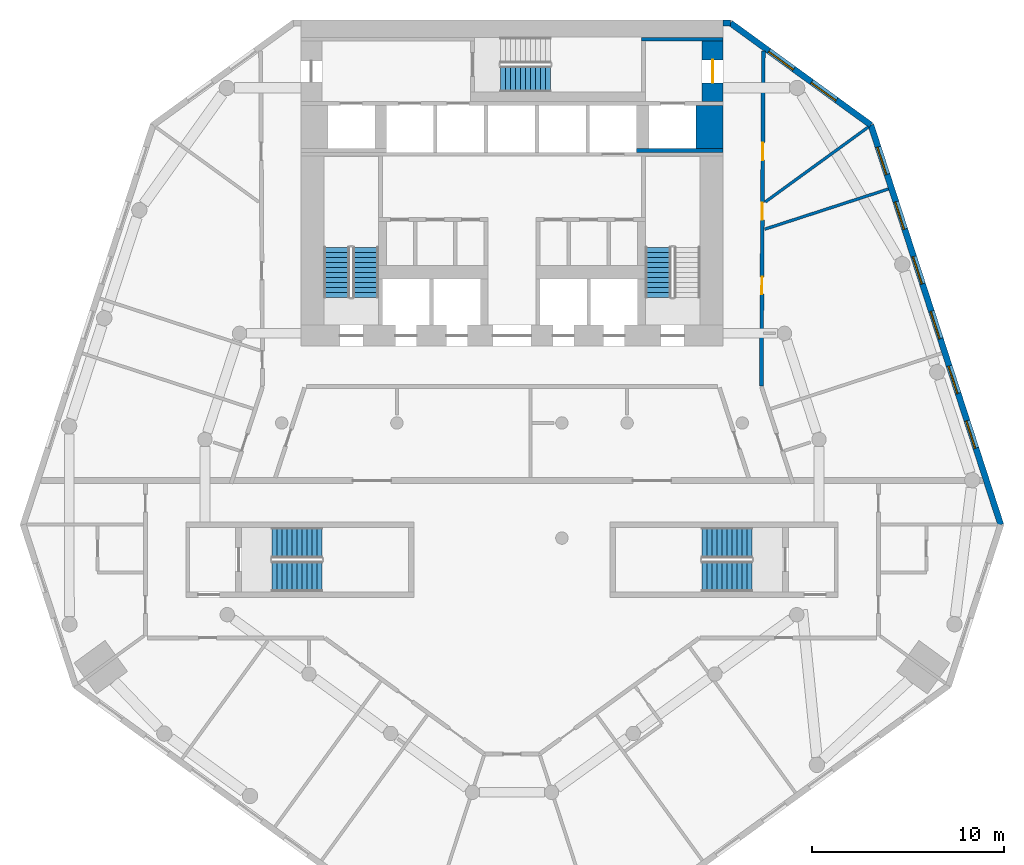
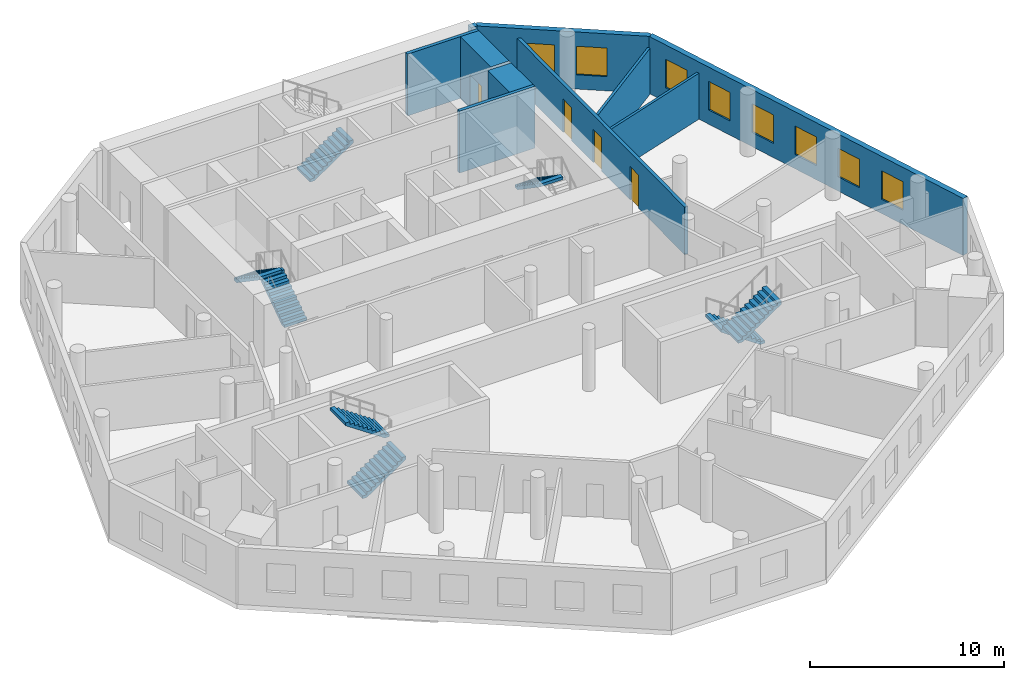
# One storey, part 6 of 9: 10 walls, 8 stair flights, 8 windows, 4 doors, 12 openings, 5 elements without a shape of their own.
"""IFC4 building model written with IfcOpenShell, lengths in metres."""

from ifc_helpers import new_model, si_unit, direction, frame, frame_2d, origin, place, context, subcontext, project, spatial, polyline, rectangle, outline, extrude, material, layer, layer_set, type_object, element, fill, aggregate, save


model = new_model("IFC4")

# Units and contexts
model_context = context("Model", 3, precision=1e-05, world=origin(), true_north=direction((0.0, 1.0)))
body_context = subcontext(model_context, "Body", "Model", "MODEL_VIEW")
ifc_project = project(units=[si_unit("LENGTHUNIT", "METRE"), si_unit("AREAUNIT", "SQUARE_METRE"), si_unit("VOLUMEUNIT", "CUBIC_METRE"), si_unit("PLANEANGLEUNIT", "RADIAN"), si_unit("MASSUNIT", "GRAM", prefix="KILO")], contexts=[model_context])

# Site, building, storey
site_placement = place(None, origin())
site = spatial("IfcSite", under=ifc_project, at=site_placement, CompositionType="ELEMENT")
building_placement = place(site_placement, origin())
building = spatial("IfcBuilding", under=site, at=building_placement, Name="White Candle Pilgrim Tower", CompositionType="ELEMENT")
storey_placement = place(building_placement, frame((0.0, 0.0, 133.699951171875)))
storey = spatial("IfcBuildingStorey", under=building, at=storey_placement, Name="L30", CompositionType="ELEMENT", Elevation=133.699951171875)

# Wall, opening, door
ifc_material_1 = material(Name="Concrete C60/75", Category="concrete")
ifc_layer_1 = layer(ifc_material_1, 1.10009765625)
ifc_layer_set_1 = layer_set([ifc_layer_1], Name="Core wall 1100 mm Concrete C60/75")
wall_type_1 = type_object("IfcWallType", Name="Core wall 1100 mm Concrete C60/75", PredefinedType="SHEAR", material=ifc_layer_set_1)
wall_1_placement = place(storey_placement, frame((80.449951171875, 83.75, 0.0), z_axis=(0.0, 0.0, 1.0), x_axis=(0.0, 1.0, 0.0)))
wall_1 = element("IfcWall", 1, at=wall_1_placement, inside=storey, type_object=wall_type_1, Name="WL-L30-C48", PredefinedType="SHEAR", context=body_context, shape_type="SweptSolid", body=[
    extrude(rectangle(XDim=3.14990234375, YDim=1.10009765625, at=frame_2d((1.574951171875, 0.0))), origin(), (0.0, 0.0, 1.0), 3.900146484375),
])
opening_1_placement = place(wall_1_placement, frame((0.97509765625, 0.0, 0.0)))
opening_1 = element("IfcOpeningElement", 2, at=opening_1_placement, cuts=wall_1, Name="Opening T09-006", PredefinedType="OPENING", context=body_context, shape_type="SweptSolid", body=[
    extrude(rectangle(XDim=1.199951171875, YDim=2.10009765625, at=frame_2d((0.60009765625, 1.050048828125))), frame((0.0, 0.56005859375, 0.0), z_axis=(0.0, -1.0, 0.0), x_axis=(1.0, 0.0, 0.0)), (0.0, 0.0, 1.0), 1.1201171875),
])
ifc_material_2 = material(Name="Steel door leaf", Category="steel")
door_type_1 = type_object("IfcDoorType", Name="Fire door 1200 x 2100 EI 30", OperationType="NOTDEFINED", PredefinedType="DOOR", material=ifc_material_2)
door_1_placement = place(opening_1_placement, origin())
door_1 = element("IfcDoor", 3, at=door_1_placement, inside=storey, type_object=door_type_1, Name="Door T09-006", OperationType="SINGLE_SWING_RIGHT", OverallHeight=2.10009765625, OverallWidth=1.199951171875, PredefinedType="DOOR", context=body_context, shape_type="SweptSolid", body=[
    extrude(rectangle(XDim=1.199951171875, YDim=2.10009765625, at=frame_2d((0.60009765625, 1.050048828125))), frame((0.0, 0.02490234375, 0.0), z_axis=(0.0, -1.0, 0.0), x_axis=(1.0, 0.0, 0.0)), (0.0, 0.0, 1.0), 0.050048828125),
])
fill(opening_1, door_1)

# Walls
ifc_layer_2 = layer(ifc_material_1, 1.39990234375)
ifc_layer_set_2 = layer_set([ifc_layer_2], Name="Core wall 1400 mm Concrete C60/75")
wall_type_2 = type_object("IfcWallType", Name="Core wall 1400 mm Concrete C60/75", PredefinedType="SHEAR", material=ifc_layer_set_2)
wall_2_placement = place(storey_placement, frame((80.300048828125, 81.300048828125, 0.0), z_axis=(0.0, 0.0, 1.0), x_axis=(0.0, 1.0, 0.0)))
element("IfcWall", 4, at=wall_2_placement, inside=storey, type_object=wall_type_2, Name="WL-L30-C44", PredefinedType="SHEAR", context=body_context, shape_type="SweptSolid", body=[
    extrude(rectangle(XDim=2.25, YDim=1.39990234375, at=frame_2d((1.125, 0.0))), origin(), (0.0, 0.0, 1.0), 3.900146484375),
])
ifc_layer_3 = layer(ifc_material_1, 0.199951171875)
ifc_layer_set_3 = layer_set([ifc_layer_3], Name="Core wall 200 mm Concrete C60/75")
wall_type_3 = type_object("IfcWallType", Name="Core wall 200 mm Concrete C60/75", PredefinedType="SHEAR", material=ifc_layer_set_3)
wall_3_placement = place(storey_placement, frame((76.5, 81.199951171875, 0.0), z_axis=(0.0, 0.0, 1.0), x_axis=(1.0, 0.0, 0.0)))
element("IfcWall", 5, at=wall_3_placement, inside=storey, type_object=wall_type_3, Name="WL-L30-C40", PredefinedType="SHEAR", context=body_context, shape_type="SweptSolid", body=[
    extrude(rectangle(XDim=4.5, YDim=0.199951171875, at=frame_2d((2.25, 0.0))), origin(), (0.0, 0.0, 1.0), 3.900146484375),
])

# Wall, openings, doors
ifc_material_3 = material(Name="Gypsum board on steel studs", Category="steel")
ifc_layer_4 = layer(ifc_material_3, 0.199951171875)
ifc_layer_set_4 = layer_set([ifc_layer_4], Name="Corridor wall 200 mm EI 45")
wall_type_4 = type_object("IfcWallType", Name="Corridor wall 200 mm EI 45", PredefinedType="PARTITIONING", material=ifc_layer_set_4)
wall_4_placement = place(storey_placement, frame((83.10009765625, 86.396240234375, 0.0), z_axis=(0.0, 0.0, 1.0), x_axis=(-0.005949698459, -0.999982300387, 0.0)))
wall_4 = element("IfcWall", 6, at=wall_4_placement, inside=storey, type_object=wall_type_4, Name="WL-L30-P004", PredefinedType="PARTITIONING", context=body_context, shape_type="SweptSolid", body=[
    extrude(rectangle(XDim=17.48046875, YDim=0.199951171875, at=frame_2d((8.740234375, 0.0))), origin(), (0.0, 0.0, 1.0), 3.0),
])
opening_2_placement = place(wall_4_placement, frame((4.794189453125, 0.0, 0.0)))
opening_2 = element("IfcOpeningElement", 7, at=opening_2_placement, cuts=wall_4, Name="Opening T09-121", PredefinedType="OPENING", context=body_context, shape_type="SweptSolid", body=[
    extrude(rectangle(XDim=0.89990234375, YDim=2.10009765625, at=frame_2d((0.449951171875, 1.050048828125))), frame((0.0, 0.10986328125, 0.0), z_axis=(0.0, -1.0, 0.0), x_axis=(1.0, 0.0, 0.0)), (0.0, 0.0, 1.0), 0.219970703125),
])
opening_3_placement = place(wall_4_placement, frame((7.916748046875, 0.0, 0.0)))
opening_3 = element("IfcOpeningElement", 8, at=opening_3_placement, cuts=wall_4, Name="Opening T09-122", PredefinedType="OPENING", context=body_context, shape_type="SweptSolid", body=[
    extrude(rectangle(XDim=0.89990234375, YDim=2.10009765625, at=frame_2d((0.449951171875, 1.050048828125))), frame((0.0, 0.10986328125, 0.0), z_axis=(0.0, -1.0, 0.0), x_axis=(1.0, 0.0, 0.0)), (0.0, 0.0, 1.0), 0.219970703125),
])
opening_4_placement = place(wall_4_placement, frame((11.786376953125, 0.0, 0.0)))
opening_4 = element("IfcOpeningElement", 9, at=opening_4_placement, cuts=wall_4, Name="Opening T09-123", PredefinedType="OPENING", context=body_context, shape_type="SweptSolid", body=[
    extrude(rectangle(XDim=0.89990234375, YDim=2.10009765625, at=frame_2d((0.449951171875, 1.050048828125))), frame((0.0, 0.10986328125, 0.0), z_axis=(0.0, -1.0, 0.0), x_axis=(1.0, 0.0, 0.0)), (0.0, 0.0, 1.0), 0.219970703125),
])
door_type_2 = type_object("IfcDoorType", Name="Fire door 900 x 2100 EI 30", OperationType="NOTDEFINED", PredefinedType="DOOR", material=ifc_material_2)
door_2_placement = place(opening_2_placement, origin())
door_2 = element("IfcDoor", 10, at=door_2_placement, inside=storey, type_object=door_type_2, Name="Door T09-121", OperationType="SINGLE_SWING_LEFT", OverallHeight=2.10009765625, OverallWidth=0.89990234375, PredefinedType="DOOR", context=body_context, shape_type="SweptSolid", body=[
    extrude(rectangle(XDim=0.89990234375, YDim=2.10009765625, at=frame_2d((0.449951171875, 1.050048828125))), frame((0.0, 0.02490234375, 0.0), z_axis=(0.0, -1.0, 0.0), x_axis=(1.0, 0.0, 0.0)), (0.0, 0.0, 1.0), 0.050048828125),
])
fill(opening_2, door_2)
door_3_placement = place(opening_3_placement, origin())
door_3 = element("IfcDoor", 11, at=door_3_placement, inside=storey, type_object=door_type_2, Name="Door T09-122", OperationType="SINGLE_SWING_RIGHT", OverallHeight=2.10009765625, OverallWidth=0.89990234375, PredefinedType="DOOR", context=body_context, shape_type="SweptSolid", body=[
    extrude(rectangle(XDim=0.89990234375, YDim=2.10009765625, at=frame_2d((0.449951171875, 1.050048828125))), frame((0.0, 0.02490234375, 0.0), z_axis=(0.0, -1.0, 0.0), x_axis=(1.0, 0.0, 0.0)), (0.0, 0.0, 1.0), 0.050048828125),
])
fill(opening_3, door_3)
door_4_placement = place(opening_4_placement, origin())
door_4 = element("IfcDoor", 12, at=door_4_placement, inside=storey, type_object=door_type_2, Name="Door T09-123", OperationType="SINGLE_SWING_LEFT", OverallHeight=2.10009765625, OverallWidth=0.89990234375, PredefinedType="DOOR", context=body_context, shape_type="SweptSolid", body=[
    extrude(rectangle(XDim=0.89990234375, YDim=2.10009765625, at=frame_2d((0.449951171875, 1.050048828125))), frame((0.0, 0.02490234375, 0.0), z_axis=(0.0, -1.0, 0.0), x_axis=(1.0, 0.0, 0.0)), (0.0, 0.0, 1.0), 0.050048828125),
])
fill(opening_4, door_4)

# Wall, openings, windows
ifc_material_4 = material(Name="Precast concrete C40/50", Category="concrete")
ifc_layer_5 = layer(ifc_material_4, 0.320068359375)
ifc_layer_set_5 = layer_set([ifc_layer_5], Name="Facade wall EW1 precast concrete C40/50 pier wall with timber-lined reveals")
wall_type_5 = type_object("IfcWallType", Name="Facade wall EW1 precast concrete C40/50 pier wall with timber-lined reveals", PredefinedType="SOLIDWALL", material=ifc_layer_set_5)
wall_5_placement = place(storey_placement, frame((95.4716796875, 61.69921875, 0.0), z_axis=(0.0, 0.0, 1.0), x_axis=(-0.309009164157, 0.951059060452, 0.0)))
wall_5 = element("IfcWall", 13, at=wall_5_placement, inside=storey, type_object=wall_type_5, Name="Facade wall L30 ENE", PredefinedType="SOLIDWALL", context=body_context, shape_type="SweptSolid", body=[
    extrude(rectangle(XDim=21.89306640625, YDim=0.320068359375, at=frame_2d((10.946533203125, 0.0))), origin(), (0.0, 0.0, 1.0), 3.60009765625),
])
opening_5_placement = place(wall_5_placement, frame((4.196533203125, 0.0, 0.89990234375)))
opening_5 = element("IfcOpeningElement", 14, at=opening_5_placement, cuts=wall_5, Name="Opening W1", PredefinedType="OPENING", context=body_context, shape_type="SweptSolid", body=[
    extrude(rectangle(XDim=1.5, YDim=1.800048828125, at=frame_2d((0.75, 0.89990234375))), frame((0.0, 0.169921875, 0.0), z_axis=(0.0, -1.0, 0.0), x_axis=(1.0, 0.0, 0.0)), (0.0, 0.0, 1.0), 0.340087890625),
])
opening_6_placement = place(wall_5_placement, frame((7.196533203125, 0.0, 0.89990234375)))
opening_6 = element("IfcOpeningElement", 15, at=opening_6_placement, cuts=wall_5, Name="Opening W1", PredefinedType="OPENING", context=body_context, shape_type="SweptSolid", body=[
    extrude(rectangle(XDim=1.5, YDim=1.800048828125, at=frame_2d((0.75, 0.89990234375))), frame((0.0, 0.169921875, 0.0), z_axis=(0.0, -1.0, 0.0), x_axis=(1.0, 0.0, 0.0)), (0.0, 0.0, 1.0), 0.340087890625),
])
opening_7_placement = place(wall_5_placement, frame((10.196533203125, 0.0, 0.89990234375)))
opening_7 = element("IfcOpeningElement", 16, at=opening_7_placement, cuts=wall_5, Name="Opening W1", PredefinedType="OPENING", context=body_context, shape_type="SweptSolid", body=[
    extrude(rectangle(XDim=1.5, YDim=1.800048828125, at=frame_2d((0.75, 0.89990234375))), frame((0.0, 0.169921875, 0.0), z_axis=(0.0, -1.0, 0.0), x_axis=(1.0, 0.0, 0.0)), (0.0, 0.0, 1.0), 0.340087890625),
])
opening_8_placement = place(wall_5_placement, frame((13.196533203125, 0.0, 0.89990234375)))
opening_8 = element("IfcOpeningElement", 17, at=opening_8_placement, cuts=wall_5, Name="Opening W1", PredefinedType="OPENING", context=body_context, shape_type="SweptSolid", body=[
    extrude(rectangle(XDim=1.5, YDim=1.800048828125, at=frame_2d((0.75, 0.89990234375))), frame((0.0, 0.169921875, 0.0), z_axis=(0.0, -1.0, 0.0), x_axis=(1.0, 0.0, 0.0)), (0.0, 0.0, 1.0), 0.340087890625),
])
opening_9_placement = place(wall_5_placement, frame((16.196533203125, 0.0, 0.89990234375)))
opening_9 = element("IfcOpeningElement", 18, at=opening_9_placement, cuts=wall_5, Name="Opening W1", PredefinedType="OPENING", context=body_context, shape_type="SweptSolid", body=[
    extrude(rectangle(XDim=1.5, YDim=1.800048828125, at=frame_2d((0.75, 0.89990234375))), frame((0.0, 0.169921875, 0.0), z_axis=(0.0, -1.0, 0.0), x_axis=(1.0, 0.0, 0.0)), (0.0, 0.0, 1.0), 0.340087890625),
])
opening_10_placement = place(wall_5_placement, frame((19.196533203125, 0.0, 0.89990234375)))
opening_10 = element("IfcOpeningElement", 19, at=opening_10_placement, cuts=wall_5, Name="Opening W1", PredefinedType="OPENING", context=body_context, shape_type="SweptSolid", body=[
    extrude(rectangle(XDim=1.5, YDim=1.800048828125, at=frame_2d((0.75, 0.89990234375))), frame((0.0, 0.169921875, 0.0), z_axis=(0.0, -1.0, 0.0), x_axis=(1.0, 0.0, 0.0)), (0.0, 0.0, 1.0), 0.340087890625),
])
ifc_material_5 = material(Name="Timber frame with triple glazing", Category="wood")
window_type_1 = type_object("IfcWindowType", Name="Window W1 1500x1800 timber frame triple glazing", PartitioningType="SINGLE_PANEL", PredefinedType="WINDOW", material=ifc_material_5)
window_1_placement = place(opening_5_placement, origin())
window_1 = element("IfcWindow", 20, at=window_1_placement, inside=storey, type_object=window_type_1, Name="Window W1 L30 ENE 2", OverallHeight=1.800048828125, OverallWidth=1.5, PartitioningType="SINGLE_PANEL", PredefinedType="WINDOW", context=body_context, shape_type="SweptSolid", body=[
    extrude(rectangle(XDim=1.5, YDim=1.800048828125, at=frame_2d((0.75, 0.89990234375))), frame((0.0, 0.070068359375, 0.0), z_axis=(0.0, -1.0, 0.0), x_axis=(1.0, 0.0, 0.0)), (0.0, 0.0, 1.0), 0.06005859375),
])
fill(opening_5, window_1)
window_2_placement = place(opening_6_placement, origin())
window_2 = element("IfcWindow", 21, at=window_2_placement, inside=storey, type_object=window_type_1, Name="Window W1 L30 ENE 3", OverallHeight=1.800048828125, OverallWidth=1.5, PartitioningType="SINGLE_PANEL", PredefinedType="WINDOW", context=body_context, shape_type="SweptSolid", body=[
    extrude(rectangle(XDim=1.5, YDim=1.800048828125, at=frame_2d((0.75, 0.89990234375))), frame((0.0, 0.070068359375, 0.0), z_axis=(0.0, -1.0, 0.0), x_axis=(1.0, 0.0, 0.0)), (0.0, 0.0, 1.0), 0.06005859375),
])
fill(opening_6, window_2)
window_3_placement = place(opening_7_placement, origin())
window_3 = element("IfcWindow", 22, at=window_3_placement, inside=storey, type_object=window_type_1, Name="Window W1 L30 ENE 4", OverallHeight=1.800048828125, OverallWidth=1.5, PartitioningType="SINGLE_PANEL", PredefinedType="WINDOW", context=body_context, shape_type="SweptSolid", body=[
    extrude(rectangle(XDim=1.5, YDim=1.800048828125, at=frame_2d((0.75, 0.89990234375))), frame((0.0, 0.070068359375, 0.0), z_axis=(0.0, -1.0, 0.0), x_axis=(1.0, 0.0, 0.0)), (0.0, 0.0, 1.0), 0.06005859375),
])
fill(opening_7, window_3)
window_4_placement = place(opening_8_placement, origin())
window_4 = element("IfcWindow", 23, at=window_4_placement, inside=storey, type_object=window_type_1, Name="Window W1 L30 ENE 5", OverallHeight=1.800048828125, OverallWidth=1.5, PartitioningType="SINGLE_PANEL", PredefinedType="WINDOW", context=body_context, shape_type="SweptSolid", body=[
    extrude(rectangle(XDim=1.5, YDim=1.800048828125, at=frame_2d((0.75, 0.89990234375))), frame((0.0, 0.070068359375, 0.0), z_axis=(0.0, -1.0, 0.0), x_axis=(1.0, 0.0, 0.0)), (0.0, 0.0, 1.0), 0.06005859375),
])
fill(opening_8, window_4)
window_5_placement = place(opening_9_placement, origin())
window_5 = element("IfcWindow", 24, at=window_5_placement, inside=storey, type_object=window_type_1, Name="Window W1 L30 ENE 6", OverallHeight=1.800048828125, OverallWidth=1.5, PartitioningType="SINGLE_PANEL", PredefinedType="WINDOW", context=body_context, shape_type="SweptSolid", body=[
    extrude(rectangle(XDim=1.5, YDim=1.800048828125, at=frame_2d((0.75, 0.89990234375))), frame((0.0, 0.070068359375, 0.0), z_axis=(0.0, -1.0, 0.0), x_axis=(1.0, 0.0, 0.0)), (0.0, 0.0, 1.0), 0.06005859375),
])
fill(opening_9, window_5)
window_6_placement = place(opening_10_placement, origin())
window_6 = element("IfcWindow", 25, at=window_6_placement, inside=storey, type_object=window_type_1, Name="Window W1 L30 ENE 7", OverallHeight=1.800048828125, OverallWidth=1.5, PartitioningType="SINGLE_PANEL", PredefinedType="WINDOW", context=body_context, shape_type="SweptSolid", body=[
    extrude(rectangle(XDim=1.5, YDim=1.800048828125, at=frame_2d((0.75, 0.89990234375))), frame((0.0, 0.070068359375, 0.0), z_axis=(0.0, -1.0, 0.0), x_axis=(1.0, 0.0, 0.0)), (0.0, 0.0, 1.0), 0.06005859375),
])
fill(opening_10, window_6)

wall_6_placement = place(storey_placement, frame((88.70654296875, 82.520751953125, 0.0), z_axis=(0.0, 0.0, 1.0), x_axis=(-0.809020636, 0.587780239993, 0.0)))
wall_6 = element("IfcWall", 26, at=wall_6_placement, inside=storey, type_object=wall_type_5, Name="Facade wall L30 NE chamfer", PredefinedType="SOLIDWALL", context=body_context, shape_type="SweptSolid", body=[
    extrude(rectangle(XDim=9.0498046875, YDim=0.320068359375, at=frame_2d((4.52490234375, 0.0))), origin(), (0.0, 0.0, 1.0), 3.60009765625),
])
opening_11_placement = place(wall_6_placement, frame((2.224853515625, 0.0, 0.89990234375)))
opening_11 = element("IfcOpeningElement", 27, at=opening_11_placement, cuts=wall_6, Name="Opening W2", PredefinedType="OPENING", context=body_context, shape_type="SweptSolid", body=[
    extrude(rectangle(XDim=1.60009765625, YDim=1.800048828125, at=frame_2d((0.800048828125, 0.89990234375))), frame((0.0, 0.169921875, 0.0), z_axis=(0.0, -1.0, 0.0), x_axis=(1.0, 0.0, 0.0)), (0.0, 0.0, 1.0), 0.340087890625),
])
opening_12_placement = place(wall_6_placement, frame((4.974853515625, 0.0, 0.89990234375)))
opening_12 = element("IfcOpeningElement", 28, at=opening_12_placement, cuts=wall_6, Name="Opening W2", PredefinedType="OPENING", context=body_context, shape_type="SweptSolid", body=[
    extrude(rectangle(XDim=1.60009765625, YDim=1.800048828125, at=frame_2d((0.800048828125, 0.89990234375))), frame((0.0, 0.169921875, 0.0), z_axis=(0.0, -1.0, 0.0), x_axis=(1.0, 0.0, 0.0)), (0.0, 0.0, 1.0), 0.340087890625),
])
window_type_2 = type_object("IfcWindowType", Name="Window W2 1600x1800 timber frame triple glazing", PartitioningType="SINGLE_PANEL", PredefinedType="WINDOW", material=ifc_material_5)
window_7_placement = place(opening_11_placement, origin())
window_7 = element("IfcWindow", 29, at=window_7_placement, inside=storey, type_object=window_type_2, Name="Window W2 L30 NE chamfer 1", OverallHeight=1.800048828125, OverallWidth=1.60009765625, PartitioningType="SINGLE_PANEL", PredefinedType="WINDOW", context=body_context, shape_type="SweptSolid", body=[
    extrude(rectangle(XDim=1.60009765625, YDim=1.800048828125, at=frame_2d((0.800048828125, 0.89990234375))), frame((0.0, 0.070068359375, 0.0), z_axis=(0.0, -1.0, 0.0), x_axis=(1.0, 0.0, 0.0)), (0.0, 0.0, 1.0), 0.06005859375),
])
fill(opening_11, window_7)
window_8_placement = place(opening_12_placement, origin())
window_8 = element("IfcWindow", 30, at=window_8_placement, inside=storey, type_object=window_type_2, Name="Window W2 L30 NE chamfer 2", OverallHeight=1.800048828125, OverallWidth=1.60009765625, PartitioningType="SINGLE_PANEL", PredefinedType="WINDOW", context=body_context, shape_type="SweptSolid", body=[
    extrude(rectangle(XDim=1.60009765625, YDim=1.800048828125, at=frame_2d((0.800048828125, 0.89990234375))), frame((0.0, 0.070068359375, 0.0), z_axis=(0.0, -1.0, 0.0), x_axis=(1.0, 0.0, 0.0)), (0.0, 0.0, 1.0), 0.06005859375),
])
fill(opening_12, window_8)

# Walls
wall_7_placement = place(storey_placement, frame((81.385009765625, 87.840087890625, 0.0), z_axis=(0.0, 0.0, 1.0), x_axis=(-1.0, 0.0, 0.0)))
element("IfcWall", 31, at=wall_7_placement, inside=storey, type_object=wall_type_5, Name="Facade wall L30 N", PredefinedType="SOLIDWALL", context=body_context, shape_type="SweptSolid", body=[
    extrude(rectangle(XDim=0.385009765625, YDim=0.320068359375, at=frame_2d((0.1923828125, 0.0))), origin(), (0.0, 0.0, 1.0), 3.60009765625),
])
ifc_layer_6 = layer(ifc_material_3, 0.14990234375)
ifc_layer_set_6 = layer_set([ifc_layer_6], Name="Partition 150 mm EI 60")
wall_type_6 = type_object("IfcWallType", Name="Partition 150 mm EI 60", PredefinedType="PARTITIONING", material=ifc_layer_set_6)
wall_8_placement = place(storey_placement, frame((88.5703125, 82.421875, 0.0), z_axis=(0.0, 0.0, 1.0), x_axis=(-0.809017368716, -0.587784737056, 0.0)))
element("IfcWall", 32, at=wall_8_placement, inside=storey, type_object=wall_type_6, Name="WL-L30-P023", PredefinedType="PARTITIONING", context=body_context, shape_type="SweptSolid", body=[
    extrude(rectangle(XDim=6.64111328125, YDim=0.14990234375, at=frame_2d((3.320556640625, 0.0))), origin(), (0.0, 0.0, 1.0), 2.900146484375),
])
wall_9_placement = place(storey_placement, frame((89.619384765625, 79.193359375, 0.0), z_axis=(0.0, 0.0, 1.0), x_axis=(-0.951063688423, -0.308994919963, 0.0)))
element("IfcWall", 33, at=wall_9_placement, inside=storey, type_object=wall_type_6, Name="WL-L30-P038", PredefinedType="PARTITIONING", context=body_context, shape_type="SweptSolid", body=[
    extrude(rectangle(XDim=6.783203125, YDim=0.14990234375, at=frame_2d((3.3916015625, 0.0))), origin(), (0.0, 0.0, 1.0), 2.900146484375),
])
ifc_layer_7 = layer(ifc_material_1, 0.199951171875)
ifc_layer_set_7 = layer_set([ifc_layer_7], Name="Stair shaft wall 200 mm Concrete C60/75")
wall_type_7 = type_object("IfcWallType", Name="Stair shaft wall 200 mm Concrete C60/75", PredefinedType="SHEAR", material=ifc_layer_set_7)
wall_10_placement = place(storey_placement, frame((76.75, 87.0, 0.0), z_axis=(0.0, 0.0, 1.0), x_axis=(1.0, 0.0, 0.0)))
element("IfcWall", 34, at=wall_10_placement, inside=storey, type_object=wall_type_7, Name="WL-L30-C52", PredefinedType="SHEAR", context=body_context, shape_type="SweptSolid", body=[
    extrude(rectangle(XDim=4.25, YDim=0.199951171875, at=frame_2d((2.125, 0.0))), origin(), (0.0, 0.0, 1.0), 3.900146484375),
])

# Stair, stair flights
ifc_material_6 = material(Name="Concrete C40/50", Category="concrete")
stair_type_1 = type_object("IfcStairType", Name="Exit stair 1 flight width 1350 mm", PredefinedType="HALF_TURN_STAIR", material=ifc_material_6)
stair_1_placement = place(storey_placement, origin())
stair_1 = element("IfcStair", 35, at=stair_1_placement, inside=storey, type_object=stair_type_1, Name="L30 stair 1", PredefinedType="NOTDEFINED")
ifc_layer_8 = layer(ifc_material_6, 0.14990234375)
ifc_layer_set_8 = layer_set([ifc_layer_8], Name="Stair flight Concrete C40/50")
stair_flight_type = type_object("IfcStairFlightType", Name="Stair flight Concrete C40/50", PredefinedType="STRAIGHT", material=ifc_layer_set_8)
stair_flight_1_placement = place(storey_placement, frame((62.375, 73.550048828125, 0.0), z_axis=(0.0, 0.0, 1.0), x_axis=(0.0, 1.0, 0.0)))
stair_flight_1 = element("IfcStairFlight", 36, at=stair_flight_1_placement, type_object=stair_flight_type, Name="ST1 flight 1", NumberOfRisers=11, NumberOfTreads=10, PredefinedType="NOTDEFINED", RiserHeight=0.177272727, TreadLength=0.26, context=body_context, shape_type="SweptSolid", body=[
    extrude(outline(polyline([(0.0, 0.0), (0.0, 0.17724609375), (0.260009765625, 0.17724609375), (0.260009765625, 0.3544921875), (0.52001953125, 0.3544921875), (0.52001953125, 0.53173828125), (0.780029296875, 0.53173828125), (0.780029296875, 0.708984375), (1.0400390625, 0.708984375), (1.0400390625, 0.886474609375), (1.300048828125, 0.886474609375), (1.300048828125, 1.063720703125), (1.56005859375, 1.063720703125), (1.56005859375, 1.240966796875), (1.820068359375, 1.240966796875), (1.820068359375, 1.418212890625), (2.080078125, 1.418212890625), (2.080078125, 1.595458984375), (2.340087890625, 1.595458984375), (2.340087890625, 1.772705078125), (2.60009765625, 1.772705078125), (2.60009765625, 1.949951171875), (2.60009765625, 1.59130859375), (0.26611328125, 0.0), (0.0, 0.0)])), frame((0.0, 0.675048828125, 0.0), z_axis=(0.0, -1.0, 0.0), x_axis=(1.0, 0.0, 0.0)), (0.0, 0.0, 1.0), 1.35009765625),
])
stair_flight_2_placement = place(storey_placement, frame((60.875, 76.14990234375, 1.949951171875), z_axis=(0.0, 0.0, 1.0), x_axis=(0.0, -1.0, 0.0)))
stair_flight_2 = element("IfcStairFlight", 37, at=stair_flight_2_placement, type_object=stair_flight_type, Name="ST1 flight 2", NumberOfRisers=11, NumberOfTreads=10, PredefinedType="NOTDEFINED", RiserHeight=0.177272727, TreadLength=0.26, context=body_context, shape_type="SweptSolid", body=[
    extrude(outline(polyline([(0.0, 0.0), (0.0, 0.17724609375), (0.260009765625, 0.17724609375), (0.260009765625, 0.3544921875), (0.52001953125, 0.3544921875), (0.52001953125, 0.53173828125), (0.780029296875, 0.53173828125), (0.780029296875, 0.708984375), (1.0400390625, 0.708984375), (1.0400390625, 0.886474609375), (1.300048828125, 0.886474609375), (1.300048828125, 1.063720703125), (1.56005859375, 1.063720703125), (1.56005859375, 1.240966796875), (1.820068359375, 1.240966796875), (1.820068359375, 1.418212890625), (2.080078125, 1.418212890625), (2.080078125, 1.595458984375), (2.340087890625, 1.595458984375), (2.340087890625, 1.772705078125), (2.60009765625, 1.772705078125), (2.60009765625, 1.949951171875), (2.60009765625, 1.59130859375), (0.26611328125, 0.0), (0.0, 0.0)])), frame((0.0, 0.675048828125, 0.0), z_axis=(0.0, -1.0, 0.0), x_axis=(1.0, 0.0, 0.0)), (0.0, 0.0, 1.0), 1.35009765625),
])
aggregate(stair_1, [stair_flight_1, stair_flight_2])

# Stair, stair flight
stair_type_2 = type_object("IfcStairType", Name="Exit stair 2 flight width 1350 mm", PredefinedType="HALF_TURN_STAIR", material=ifc_material_6)
stair_2_placement = place(storey_placement, origin())
stair_2 = element("IfcStair", 38, at=stair_2_placement, inside=storey, type_object=stair_type_2, Name="L30 stair 2", PredefinedType="NOTDEFINED")
stair_flight_3_placement = place(storey_placement, frame((77.625, 76.14990234375, 1.949951171875), z_axis=(0.0, 0.0, 1.0), x_axis=(0.0, -1.0, 0.0)))
stair_flight_3 = element("IfcStairFlight", 39, at=stair_flight_3_placement, type_object=stair_flight_type, Name="ST2 flight 2", NumberOfRisers=11, NumberOfTreads=10, PredefinedType="NOTDEFINED", RiserHeight=0.177272727, TreadLength=0.26, context=body_context, shape_type="SweptSolid", body=[
    extrude(outline(polyline([(0.0, 0.0), (0.0, 0.17724609375), (0.260009765625, 0.17724609375), (0.260009765625, 0.3544921875), (0.52001953125, 0.3544921875), (0.52001953125, 0.53173828125), (0.780029296875, 0.53173828125), (0.780029296875, 0.708984375), (1.0400390625, 0.708984375), (1.0400390625, 0.886474609375), (1.300048828125, 0.886474609375), (1.300048828125, 1.063720703125), (1.56005859375, 1.063720703125), (1.56005859375, 1.240966796875), (1.820068359375, 1.240966796875), (1.820068359375, 1.418212890625), (2.080078125, 1.418212890625), (2.080078125, 1.595458984375), (2.340087890625, 1.595458984375), (2.340087890625, 1.772705078125), (2.60009765625, 1.772705078125), (2.60009765625, 1.949951171875), (2.60009765625, 1.59130859375), (0.26611328125, 0.0), (0.0, 0.0)])), frame((0.0, 0.675048828125, 0.0), z_axis=(0.0, -1.0, 0.0), x_axis=(1.0, 0.0, 0.0)), (0.0, 0.0, 1.0), 1.35009765625),
])
aggregate(stair_2, [stair_flight_3])

stair_type_3 = type_object("IfcStairType", Name="Exit stair 3 flight width 1350 mm", PredefinedType="HALF_TURN_STAIR", material=ifc_material_6)
stair_3_placement = place(storey_placement, origin())
stair_3 = element("IfcStair", 40, at=stair_3_placement, inside=storey, type_object=stair_type_3, Name="L30 stair 3", PredefinedType="NOTDEFINED")
stair_flight_4_placement = place(storey_placement, frame((69.39990234375, 84.925048828125, 0.0), z_axis=(0.0, 0.0, 1.0), x_axis=(1.0, 0.0, 0.0)))
stair_flight_4 = element("IfcStairFlight", 41, at=stair_flight_4_placement, type_object=stair_flight_type, Name="ST3 flight 1", NumberOfRisers=11, NumberOfTreads=10, PredefinedType="NOTDEFINED", RiserHeight=0.177272727, TreadLength=0.26, context=body_context, shape_type="SweptSolid", body=[
    extrude(outline(polyline([(0.0, 0.0), (0.0, 0.17724609375), (0.260009765625, 0.17724609375), (0.260009765625, 0.3544921875), (0.52001953125, 0.3544921875), (0.52001953125, 0.53173828125), (0.780029296875, 0.53173828125), (0.780029296875, 0.708984375), (1.0400390625, 0.708984375), (1.0400390625, 0.886474609375), (1.300048828125, 0.886474609375), (1.300048828125, 1.063720703125), (1.56005859375, 1.063720703125), (1.56005859375, 1.240966796875), (1.820068359375, 1.240966796875), (1.820068359375, 1.418212890625), (2.080078125, 1.418212890625), (2.080078125, 1.595458984375), (2.340087890625, 1.595458984375), (2.340087890625, 1.772705078125), (2.60009765625, 1.772705078125), (2.60009765625, 1.949951171875), (2.60009765625, 1.59130859375), (0.26611328125, 0.0), (0.0, 0.0)])), frame((0.0, 0.675048828125, 0.0), z_axis=(0.0, -1.0, 0.0), x_axis=(1.0, 0.0, 0.0)), (0.0, 0.0, 1.0), 1.35009765625),
])
aggregate(stair_3, [stair_flight_4])

# Stair, stair flights
stair_type_4 = type_object("IfcStairType", Name="Exit stair 4 flight width 1600 mm", PredefinedType="HALF_TURN_STAIR", material=ifc_material_6)
stair_4_placement = place(storey_placement, origin())
stair_4 = element("IfcStair", 42, at=stair_4_placement, inside=storey, type_object=stair_type_4, Name="L30 stair 4", PredefinedType="NOTDEFINED")
stair_flight_5_placement = place(storey_placement, frame((82.5, 60.75, 0.0), z_axis=(0.0, 0.0, 1.0), x_axis=(-1.0, 0.0, 0.0)))
stair_flight_5 = element("IfcStairFlight", 43, at=stair_flight_5_placement, type_object=stair_flight_type, Name="ST4 flight 1", NumberOfRisers=11, NumberOfTreads=10, PredefinedType="NOTDEFINED", RiserHeight=0.177272727, TreadLength=0.26, context=body_context, shape_type="SweptSolid", body=[
    extrude(outline(polyline([(0.0, 0.0), (0.0, 0.17724609375), (0.260009765625, 0.17724609375), (0.260009765625, 0.3544921875), (0.52001953125, 0.3544921875), (0.52001953125, 0.53173828125), (0.780029296875, 0.53173828125), (0.780029296875, 0.708984375), (1.0400390625, 0.708984375), (1.0400390625, 0.886474609375), (1.300048828125, 0.886474609375), (1.300048828125, 1.063720703125), (1.56005859375, 1.063720703125), (1.56005859375, 1.240966796875), (1.820068359375, 1.240966796875), (1.820068359375, 1.418212890625), (2.080078125, 1.418212890625), (2.080078125, 1.595458984375), (2.340087890625, 1.595458984375), (2.340087890625, 1.772705078125), (2.60009765625, 1.772705078125), (2.60009765625, 1.949951171875), (2.60009765625, 1.59130859375), (0.26611328125, 0.0), (0.0, 0.0)])), frame((0.0, 0.800048828125, 0.0), z_axis=(0.0, -1.0, 0.0), x_axis=(1.0, 0.0, 0.0)), (0.0, 0.0, 1.0), 1.60009765625),
])
stair_flight_6_placement = place(storey_placement, frame((79.89990234375, 59.0, 1.949951171875), z_axis=(0.0, 0.0, 1.0), x_axis=(1.0, 0.0, 0.0)))
stair_flight_6 = element("IfcStairFlight", 44, at=stair_flight_6_placement, type_object=stair_flight_type, Name="ST4 flight 2", NumberOfRisers=11, NumberOfTreads=10, PredefinedType="NOTDEFINED", RiserHeight=0.177272727, TreadLength=0.26, context=body_context, shape_type="SweptSolid", body=[
    extrude(outline(polyline([(0.0, 0.0), (0.0, 0.17724609375), (0.260009765625, 0.17724609375), (0.260009765625, 0.3544921875), (0.52001953125, 0.3544921875), (0.52001953125, 0.53173828125), (0.780029296875, 0.53173828125), (0.780029296875, 0.708984375), (1.0400390625, 0.708984375), (1.0400390625, 0.886474609375), (1.300048828125, 0.886474609375), (1.300048828125, 1.063720703125), (1.56005859375, 1.063720703125), (1.56005859375, 1.240966796875), (1.820068359375, 1.240966796875), (1.820068359375, 1.418212890625), (2.080078125, 1.418212890625), (2.080078125, 1.595458984375), (2.340087890625, 1.595458984375), (2.340087890625, 1.772705078125), (2.60009765625, 1.772705078125), (2.60009765625, 1.949951171875), (2.60009765625, 1.59130859375), (0.26611328125, 0.0), (0.0, 0.0)])), frame((0.0, 0.800048828125, 0.0), z_axis=(0.0, -1.0, 0.0), x_axis=(1.0, 0.0, 0.0)), (0.0, 0.0, 1.0), 1.60009765625),
])
aggregate(stair_4, [stair_flight_5, stair_flight_6])

stair_type_5 = type_object("IfcStairType", Name="Exit stair 5 flight width 1600 mm", PredefinedType="HALF_TURN_STAIR", material=ifc_material_6)
stair_5_placement = place(storey_placement, origin())
stair_5 = element("IfcStair", 45, at=stair_5_placement, inside=storey, type_object=stair_type_5, Name="L30 stair 5", PredefinedType="NOTDEFINED")
stair_flight_7_placement = place(storey_placement, frame((57.5, 59.0, 0.0), z_axis=(0.0, 0.0, 1.0), x_axis=(1.0, 0.0, 0.0)))
stair_flight_7 = element("IfcStairFlight", 46, at=stair_flight_7_placement, type_object=stair_flight_type, Name="ST5 flight 1", NumberOfRisers=11, NumberOfTreads=10, PredefinedType="NOTDEFINED", RiserHeight=0.177272727, TreadLength=0.26, context=body_context, shape_type="SweptSolid", body=[
    extrude(outline(polyline([(0.0, 0.0), (0.0, 0.17724609375), (0.260009765625, 0.17724609375), (0.260009765625, 0.3544921875), (0.52001953125, 0.3544921875), (0.52001953125, 0.53173828125), (0.780029296875, 0.53173828125), (0.780029296875, 0.708984375), (1.0400390625, 0.708984375), (1.0400390625, 0.886474609375), (1.300048828125, 0.886474609375), (1.300048828125, 1.063720703125), (1.56005859375, 1.063720703125), (1.56005859375, 1.240966796875), (1.820068359375, 1.240966796875), (1.820068359375, 1.418212890625), (2.080078125, 1.418212890625), (2.080078125, 1.595458984375), (2.340087890625, 1.595458984375), (2.340087890625, 1.772705078125), (2.60009765625, 1.772705078125), (2.60009765625, 1.949951171875), (2.60009765625, 1.59130859375), (0.26611328125, 0.0), (0.0, 0.0)])), frame((0.0, 0.800048828125, 0.0), z_axis=(0.0, -1.0, 0.0), x_axis=(1.0, 0.0, 0.0)), (0.0, 0.0, 1.0), 1.60009765625),
])
stair_flight_8_placement = place(storey_placement, frame((60.10009765625, 60.75, 1.949951171875), z_axis=(0.0, 0.0, 1.0), x_axis=(-1.0, 0.0, 0.0)))
stair_flight_8 = element("IfcStairFlight", 47, at=stair_flight_8_placement, type_object=stair_flight_type, Name="ST5 flight 2", NumberOfRisers=11, NumberOfTreads=10, PredefinedType="NOTDEFINED", RiserHeight=0.177272727, TreadLength=0.26, context=body_context, shape_type="SweptSolid", body=[
    extrude(outline(polyline([(0.0, 0.0), (0.0, 0.17724609375), (0.260009765625, 0.17724609375), (0.260009765625, 0.3544921875), (0.52001953125, 0.3544921875), (0.52001953125, 0.53173828125), (0.780029296875, 0.53173828125), (0.780029296875, 0.708984375), (1.0400390625, 0.708984375), (1.0400390625, 0.886474609375), (1.300048828125, 0.886474609375), (1.300048828125, 1.063720703125), (1.56005859375, 1.063720703125), (1.56005859375, 1.240966796875), (1.820068359375, 1.240966796875), (1.820068359375, 1.418212890625), (2.080078125, 1.418212890625), (2.080078125, 1.595458984375), (2.340087890625, 1.595458984375), (2.340087890625, 1.772705078125), (2.60009765625, 1.772705078125), (2.60009765625, 1.949951171875), (2.60009765625, 1.59130859375), (0.26611328125, 0.0), (0.0, 0.0)])), frame((0.0, 0.800048828125, 0.0), z_axis=(0.0, -1.0, 0.0), x_axis=(1.0, 0.0, 0.0)), (0.0, 0.0, 1.0), 1.60009765625),
])
aggregate(stair_5, [stair_flight_7, stair_flight_8])

save(model, "model.ifc")
